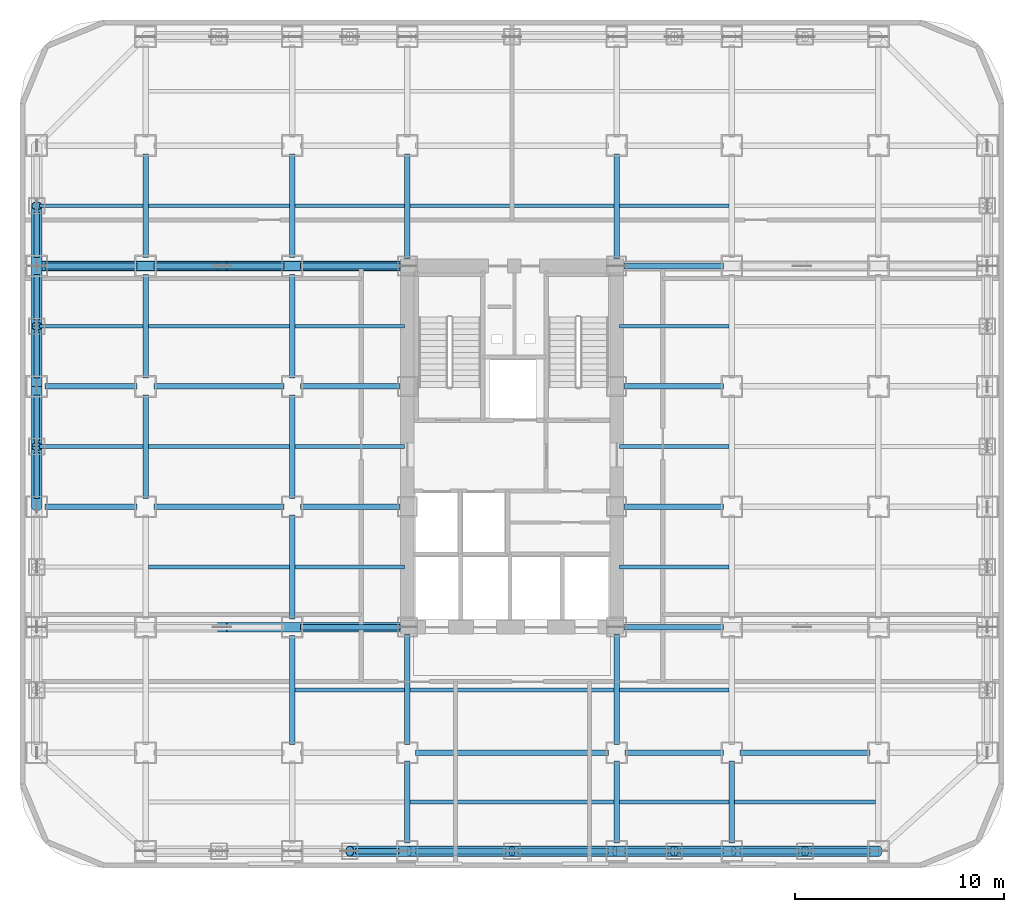
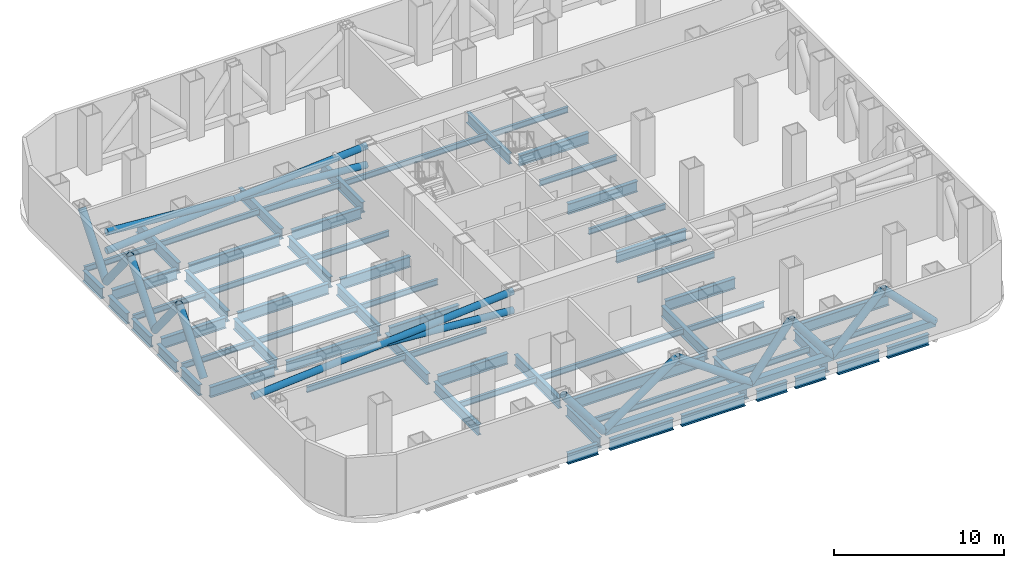
# One storey, part 2 of 10: 66 beams, 20 members.
"""IFC4 building model written with IfcOpenShell, lengths in metres."""

from ifc_helpers import new_model, si_unit, direction, frame, origin, origin_2d, place, context, subcontext, project, spatial, hollow_rectangle, hollow_circle, i_section, extrude, source, transform, mapped, material, material_profile, profile_set, type_object, element, save


model = new_model("IFC4")

# Units and contexts
model_context = context("Model", 3, precision=1e-05, world=origin(), true_north=direction((0.0, 1.0)))
body_context = subcontext(model_context, "Body", "Model", "MODEL_VIEW")
ifc_project = project(units=[si_unit("LENGTHUNIT", "METRE"), si_unit("AREAUNIT", "SQUARE_METRE"), si_unit("VOLUMEUNIT", "CUBIC_METRE"), si_unit("PLANEANGLEUNIT", "RADIAN"), si_unit("MASSUNIT", "GRAM", prefix="KILO")], contexts=[model_context])

# Site, building, storey
site_placement = place(None, origin())
site = spatial("IfcSite", under=ifc_project, at=site_placement, CompositionType="ELEMENT")
building_placement = place(site_placement, origin())
building = spatial("IfcBuilding", under=site, at=building_placement, Name="Kolveth Station Tower", CompositionType="ELEMENT")
storey_placement = place(building_placement, frame((0.0, 0.0, 76.5)))
storey = spatial("IfcBuildingStorey", under=building, at=storey_placement, Name="L20", CompositionType="ELEMENT", Elevation=76.5)

# Beams
ifc_material_1 = material(Name="Steel S355", Category="steel")
ifc_material_profile_1 = material_profile(ifc_material_1, i_section(OverallWidth=0.26904296875, OverallDepth=0.77490234375, WebThickness=0.01708984375, FlangeThickness=0.0283203125, at=origin_2d()), Name="W760x220")
ifc_profile_set_1 = profile_set([ifc_material_profile_1], Name="Steel S355")
beam_type_1 = type_object("IfcBeamType", Name="Beam_SP1", PredefinedType="SPANDREL", material=ifc_profile_set_1)
shared_shape_1 = source(origin(), body_context, "Body", "SweptSolid", [
    extrude(i_section(OverallWidth=0.26904296875, OverallDepth=0.77490234375, WebThickness=0.01708984375, FlangeThickness=0.0283203125, at=origin_2d()), origin(), (0.0, 0.0, 1.0), 2.820068359375),
])
for number, where, z_axis, x_axis, name in (
    (1, (34.39990234375, 0.800048828125, -0.74755859375), (1.0, 0.0, 0.0), (0.0, 1.0, 0.0), "L20 Perimeter Spandrel BM-L20-PS-9"),
    (2, (37.780029296875, 0.800048828125, -0.74755859375), (1.0, 0.0, 0.0), (0.0, 1.0, 0.0), "L20 Perimeter Spandrel BM-L20-PS-10"),
):
    element("IfcBeam", number, at=place(storey_placement, frame(where, z_axis=z_axis, x_axis=x_axis)), inside=storey, type_object=beam_type_1, Name=name, PredefinedType="SPANDREL", context=body_context, shape_type="MappedRepresentation", body=[
        mapped(shared_shape_1, transform((0.0, 0.0, 0.0), x_axis=(1.0, 0.0, 0.0), y_axis=(0.0, 1.0, 0.0), z_axis=(0.0, 0.0, 1.0), scale=1.0)),
    ])
shared_shape_2 = source(origin(), body_context, "Body", "SweptSolid", [
    extrude(i_section(OverallWidth=0.26904296875, OverallDepth=0.77490234375, WebThickness=0.01708984375, FlangeThickness=0.0283203125, at=origin_2d()), origin(), (0.0, 0.0, 1.0), 2.070068359375),
])
for number, where, z_axis, x_axis, name in (
    (3, (16.030029296875, 0.800048828125, -0.74755859375), (1.0, 0.0, 0.0), (0.0, 1.0, 0.0), "L20 Perimeter Spandrel BM-L20-PS-4"),
    (4, (28.89990234375, 0.800048828125, -0.74755859375), (1.0, 0.0, 0.0), (0.0, 1.0, 0.0), "L20 Perimeter Spandrel BM-L20-PS-7"),
    (5, (31.530029296875, 0.800048828125, -0.74755859375), (1.0, 0.0, 0.0), (0.0, 1.0, 0.0), "L20 Perimeter Spandrel BM-L20-PS-8"),
):
    element("IfcBeam", number, at=place(storey_placement, frame(where, z_axis=z_axis, x_axis=x_axis)), inside=storey, type_object=beam_type_1, Name=name, PredefinedType="SPANDREL", context=body_context, shape_type="MappedRepresentation", body=[
        mapped(shared_shape_2, transform((0.0, 0.0, 0.0), x_axis=(1.0, 0.0, 0.0), y_axis=(0.0, 1.0, 0.0), z_axis=(0.0, 0.0, 1.0), scale=1.0)),
    ])
shared_shape_3 = source(origin(), body_context, "Body", "SweptSolid", [
    extrude(i_section(OverallWidth=0.26904296875, OverallDepth=0.77490234375, WebThickness=0.01708984375, FlangeThickness=0.0283203125, at=origin_2d()), origin(), (0.0, 0.0, 1.0), 4.320068359375),
])
for number, where, z_axis, x_axis, name in (
    (6, (18.89990234375, 0.800048828125, -0.74755859375), (1.0, 0.0, 0.0), (0.0, 1.0, 0.0), "L20 Perimeter Spandrel BM-L20-PS-5"),
    (7, (23.780029296875, 0.800048828125, -0.74755859375), (1.0, 0.0, 0.0), (0.0, 1.0, 0.0), "L20 Perimeter Spandrel BM-L20-PS-6"),
):
    element("IfcBeam", number, at=place(storey_placement, frame(where, z_axis=z_axis, x_axis=x_axis)), inside=storey, type_object=beam_type_1, Name=name, PredefinedType="SPANDREL", context=body_context, shape_type="MappedRepresentation", body=[
        mapped(shared_shape_3, transform((0.0, 0.0, 0.0), x_axis=(1.0, 0.0, 0.0), y_axis=(0.0, 1.0, 0.0), z_axis=(0.0, 0.0, 1.0), scale=1.0)),
    ])
shared_shape_4 = source(origin(), body_context, "Body", "SweptSolid", [
    extrude(i_section(OverallWidth=0.26904296875, OverallDepth=0.77490234375, WebThickness=0.01708984375, FlangeThickness=0.0283203125, at=origin_2d()), origin(), (0.0, 0.0, 1.0), 2.2001953125),
])
for number, where, z_axis, x_axis, name in (
    (8, (0.800048828125, 20.39990234375, -0.74755859375), (0.0, 1.0, 0.0), (-1.0, 0.0, 0.0), "L20 Perimeter Spandrel BM-L20-PW-6"),
    (9, (0.800048828125, 23.39990234375, -0.74755859375), (0.0, 1.0, 0.0), (-1.0, 0.0, 0.0), "L20 Perimeter Spandrel BM-L20-PW-7"),
):
    element("IfcBeam", number, at=place(storey_placement, frame(where, z_axis=z_axis, x_axis=x_axis)), inside=storey, type_object=beam_type_1, Name=name, PredefinedType="SPANDREL", context=body_context, shape_type="MappedRepresentation", body=[
        mapped(shared_shape_4, transform((0.0, 0.0, 0.0), x_axis=(1.0, 0.0, 0.0), y_axis=(0.0, 1.0, 0.0), z_axis=(0.0, 0.0, 1.0), scale=1.0)),
    ])
shared_shape_5 = source(origin(), body_context, "Body", "SweptSolid", [
    extrude(i_section(OverallWidth=0.26904296875, OverallDepth=0.77490234375, WebThickness=0.01708984375, FlangeThickness=0.0283203125, at=origin_2d()), origin(), (0.0, 0.0, 1.0), 2.190185546875),
])
for number, where, z_axis, x_axis, name in (
    (10, (0.800048828125, 17.64990234375, -0.74755859375), (0.0, 1.0, 0.0), (-1.0, 0.0, 0.0), "L20 Perimeter Spandrel BM-L20-PW-5"),
    (11, (0.800048828125, 26.159912109375, -0.74755859375), (0.0, 1.0, 0.0), (-1.0, 0.0, 0.0), "L20 Perimeter Spandrel BM-L20-PW-8"),
    (12, (0.800048828125, 29.14990234375, -0.74755859375), (0.0, 1.0, 0.0), (-1.0, 0.0, 0.0), "L20 Perimeter Spandrel BM-L20-PW-9"),
):
    element("IfcBeam", number, at=place(storey_placement, frame(where, z_axis=z_axis, x_axis=x_axis)), inside=storey, type_object=beam_type_1, Name=name, PredefinedType="SPANDREL", context=body_context, shape_type="MappedRepresentation", body=[
        mapped(shared_shape_5, transform((0.0, 0.0, 0.0), x_axis=(1.0, 0.0, 0.0), y_axis=(0.0, 1.0, 0.0), z_axis=(0.0, 0.0, 1.0), scale=1.0)),
    ])
ifc_material_profile_2 = material_profile(ifc_material_1, i_section(OverallWidth=0.26708984375, OverallDepth=0.76611328125, WebThickness=0.014892578125, FlangeThickness=0.023681640625, at=origin_2d()), Name="W760x185")
ifc_profile_set_2 = profile_set([ifc_material_profile_2], Name="Steel S355")
beam_type_2 = type_object("IfcBeamType", Name="Beam_B3", PredefinedType="BEAM", material=ifc_profile_set_2)
shared_shape_6 = source(origin(), body_context, "Body", "SweptSolid", [
    extrude(i_section(OverallWidth=0.26708984375, OverallDepth=0.76611328125, WebThickness=0.014892578125, FlangeThickness=0.023681640625, at=origin_2d()), origin(), (0.0, 0.0, 1.0), 4.400146484375),
])
for number, where, z_axis, x_axis, name in (
    (13, (1.199951171875, 17.25, -0.742919921875), (1.0, 0.0, 0.0), (0.0, 1.0, 0.0), "L20 Primary Girder BM-L20-GY172-1"),
    (14, (1.199951171875, 23.0, -0.742919921875), (1.0, 0.0, 0.0), (0.0, 1.0, 0.0), "L20 Primary Girder BM-L20-GY230-1"),
    (15, (1.199951171875, 28.75, -0.742919921875), (1.0, 0.0, 0.0), (0.0, 1.0, 0.0), "L20 Primary Girder BM-L20-GY287-1"),
):
    element("IfcBeam", number, at=place(storey_placement, frame(where, z_axis=z_axis, x_axis=x_axis)), inside=storey, type_object=beam_type_2, Name=name, PredefinedType="BEAM", context=body_context, shape_type="MappedRepresentation", body=[
        mapped(shared_shape_6, transform((0.0, 0.0, 0.0), x_axis=(1.0, 0.0, 0.0), y_axis=(0.0, 1.0, 0.0), z_axis=(0.0, 0.0, 1.0), scale=1.0)),
    ])
shared_shape_7 = source(origin(), body_context, "Body", "SweptSolid", [
    extrude(i_section(OverallWidth=0.26708984375, OverallDepth=0.76611328125, WebThickness=0.014892578125, FlangeThickness=0.023681640625, at=origin_2d()), origin(), (0.0, 0.0, 1.0), 6.2001953125),
])
for number, where, z_axis, x_axis, name in (
    (16, (34.39990234375, 5.5, -0.742919921875), (1.0, 0.0, 0.0), (0.0, 1.0, 0.0), "L20 Primary Girder BM-L20-GY55-6"),
    (17, (6.39990234375, 17.25, -0.742919921875), (1.0, 0.0, 0.0), (0.0, 1.0, 0.0), "L20 Primary Girder BM-L20-GY172-2"),
    (18, (6.39990234375, 23.0, -0.742919921875), (1.0, 0.0, 0.0), (0.0, 1.0, 0.0), "L20 Primary Girder BM-L20-GY230-2"),
    (19, (6.39990234375, 28.75, -0.742919921875), (1.0, 0.0, 0.0), (0.0, 1.0, 0.0), "L20 Primary Girder BM-L20-GY287-2"),
):
    element("IfcBeam", number, at=place(storey_placement, frame(where, z_axis=z_axis, x_axis=x_axis)), inside=storey, type_object=beam_type_2, Name=name, PredefinedType="BEAM", context=body_context, shape_type="MappedRepresentation", body=[
        mapped(shared_shape_7, transform((0.0, 0.0, 0.0), x_axis=(1.0, 0.0, 0.0), y_axis=(0.0, 1.0, 0.0), z_axis=(0.0, 0.0, 1.0), scale=1.0)),
    ])
shared_shape_8 = source(origin(), body_context, "Body", "SweptSolid", [
    extrude(i_section(OverallWidth=0.26708984375, OverallDepth=0.76611328125, WebThickness=0.014892578125, FlangeThickness=0.023681640625, at=origin_2d()), origin(), (0.0, 0.0, 1.0), 4.7001953125),
])
beam_1_placement = place(storey_placement, frame((28.89990234375, 5.5, -0.742919921875), z_axis=(1.0, 0.0, 0.0), x_axis=(0.0, 1.0, 0.0)))
element("IfcBeam", 20, at=beam_1_placement, inside=storey, type_object=beam_type_2, Name="L20 Primary Girder BM-L20-GY55-5", PredefinedType="BEAM", context=body_context, shape_type="MappedRepresentation", body=[
    mapped(shared_shape_8, transform((0.0, 0.0, 0.0), x_axis=(1.0, 0.0, 0.0), y_axis=(0.0, 1.0, 0.0), z_axis=(0.0, 0.0, 1.0), scale=1.0)),
])
shared_shape_9 = source(origin(), body_context, "Body", "SweptSolid", [
    extrude(i_section(OverallWidth=0.26708984375, OverallDepth=0.76611328125, WebThickness=0.014892578125, FlangeThickness=0.023681640625, at=origin_2d()), origin(), (0.0, 0.0, 1.0), 9.2001953125),
])
beam_2_placement = place(storey_placement, frame((18.89990234375, 5.5, -0.742919921875), z_axis=(1.0, 0.0, 0.0), x_axis=(0.0, 1.0, 0.0)))
element("IfcBeam", 21, at=beam_2_placement, inside=storey, type_object=beam_type_2, Name="L20 Primary Girder BM-L20-GY55-4", PredefinedType="BEAM", context=body_context, shape_type="MappedRepresentation", body=[
    mapped(shared_shape_9, transform((0.0, 0.0, 0.0), x_axis=(1.0, 0.0, 0.0), y_axis=(0.0, 1.0, 0.0), z_axis=(0.0, 0.0, 1.0), scale=1.0)),
])
shared_shape_10 = source(origin(), body_context, "Body", "SweptSolid", [
    extrude(i_section(OverallWidth=0.26708984375, OverallDepth=0.76611328125, WebThickness=0.014892578125, FlangeThickness=0.023681640625, at=origin_2d()), origin(), (0.0, 0.0, 1.0), 4.739990234375),
])
for number, where, z_axis, x_axis, name in (
    (22, (13.39990234375, 11.5, -0.742919921875), (1.0, 0.0, 0.0), (0.0, 1.0, 0.0), "L20 Primary Girder BM-L20-GY115-3"),
    (23, (28.860107421875, 11.5, -0.742919921875), (1.0, 0.0, 0.0), (0.0, 1.0, 0.0), "L20 Primary Girder BM-L20-GY115-5"),
    (24, (13.39990234375, 17.25, -0.742919921875), (1.0, 0.0, 0.0), (0.0, 1.0, 0.0), "L20 Primary Girder BM-L20-GY172-3"),
    (25, (28.860107421875, 17.25, -0.742919921875), (1.0, 0.0, 0.0), (0.0, 1.0, 0.0), "L20 Primary Girder BM-L20-GY172-5"),
    (26, (13.39990234375, 23.0, -0.742919921875), (1.0, 0.0, 0.0), (0.0, 1.0, 0.0), "L20 Primary Girder BM-L20-GY230-3"),
    (27, (28.860107421875, 23.0, -0.742919921875), (1.0, 0.0, 0.0), (0.0, 1.0, 0.0), "L20 Primary Girder BM-L20-GY230-5"),
    (28, (13.39990234375, 28.75, -0.742919921875), (1.0, 0.0, 0.0), (0.0, 1.0, 0.0), "L20 Primary Girder BM-L20-GY287-3"),
    (29, (28.860107421875, 28.75, -0.742919921875), (1.0, 0.0, 0.0), (0.0, 1.0, 0.0), "L20 Primary Girder BM-L20-GY287-5"),
):
    element("IfcBeam", number, at=place(storey_placement, frame(where, z_axis=z_axis, x_axis=x_axis)), inside=storey, type_object=beam_type_2, Name=name, PredefinedType="BEAM", context=body_context, shape_type="MappedRepresentation", body=[
        mapped(shared_shape_10, transform((0.0, 0.0, 0.0), x_axis=(1.0, 0.0, 0.0), y_axis=(0.0, 1.0, 0.0), z_axis=(0.0, 0.0, 1.0), scale=1.0)),
    ])
shared_shape_11 = source(origin(), body_context, "Body", "SweptSolid", [
    extrude(i_section(OverallWidth=0.26708984375, OverallDepth=0.76611328125, WebThickness=0.014892578125, FlangeThickness=0.023681640625, at=origin_2d()), origin(), (0.0, 0.0, 1.0), 3.900146484375),
])
for number, where, z_axis, x_axis, name in (
    (30, (18.5, 1.199951171875, -0.742919921875), (0.0, 1.0, 0.0), (-1.0, 0.0, 0.0), "L20 Primary Girder BM-L20-GX185-1"),
    (31, (28.5, 1.199951171875, -0.742919921875), (0.0, 1.0, 0.0), (-1.0, 0.0, 0.0), "L20 Primary Girder BM-L20-GX285-1"),
    (32, (34.0, 1.199951171875, -0.742919921875), (0.0, 1.0, 0.0), (-1.0, 0.0, 0.0), "L20 Primary Girder BM-L20-GX340-1"),
):
    element("IfcBeam", number, at=place(storey_placement, frame(where, z_axis=z_axis, x_axis=x_axis)), inside=storey, type_object=beam_type_2, Name=name, PredefinedType="BEAM", context=body_context, shape_type="MappedRepresentation", body=[
        mapped(shared_shape_11, transform((0.0, 0.0, 0.0), x_axis=(1.0, 0.0, 0.0), y_axis=(0.0, 1.0, 0.0), z_axis=(0.0, 0.0, 1.0), scale=1.0)),
    ])
shared_shape_12 = source(origin(), body_context, "Body", "SweptSolid", [
    extrude(i_section(OverallWidth=0.26708984375, OverallDepth=0.76611328125, WebThickness=0.014892578125, FlangeThickness=0.023681640625, at=origin_2d()), origin(), (0.0, 0.0, 1.0), 5.2001953125),
])
beam_3_placement = place(storey_placement, frame((13.0, 5.89990234375, -0.742919921875), z_axis=(0.0, 1.0, 0.0), x_axis=(-1.0, 0.0, 0.0)))
element("IfcBeam", 33, at=beam_3_placement, inside=storey, type_object=beam_type_2, Name="L20 Primary Girder BM-L20-GX130-2", PredefinedType="BEAM", context=body_context, shape_type="MappedRepresentation", body=[
    mapped(shared_shape_12, transform((0.0, 0.0, 0.0), x_axis=(1.0, 0.0, 0.0), y_axis=(0.0, 1.0, 0.0), z_axis=(0.0, 0.0, 1.0), scale=1.0)),
])
shared_shape_13 = source(origin(), body_context, "Body", "SweptSolid", [
    extrude(i_section(OverallWidth=0.26708984375, OverallDepth=0.76611328125, WebThickness=0.014892578125, FlangeThickness=0.023681640625, at=origin_2d()), origin(), (0.0, 0.0, 1.0), 4.9501953125),
])
for number, where, z_axis, x_axis, name in (
    (34, (6.0, 17.64990234375, -0.742919921875), (0.0, 1.0, 0.0), (-1.0, 0.0, 0.0), "L20 Primary Girder BM-L20-GX60-4"),
    (35, (6.0, 23.39990234375, -0.742919921875), (0.0, 1.0, 0.0), (-1.0, 0.0, 0.0), "L20 Primary Girder BM-L20-GX60-5"),
    (36, (6.0, 29.14990234375, -0.742919921875), (0.0, 1.0, 0.0), (-1.0, 0.0, 0.0), "L20 Primary Girder BM-L20-GX60-6"),
    (37, (13.0, 11.89990234375, -0.742919921875), (0.0, 1.0, 0.0), (-1.0, 0.0, 0.0), "L20 Primary Girder BM-L20-GX130-3"),
    (38, (13.0, 17.64990234375, -0.742919921875), (0.0, 1.0, 0.0), (-1.0, 0.0, 0.0), "L20 Primary Girder BM-L20-GX130-4"),
    (39, (13.0, 23.39990234375, -0.742919921875), (0.0, 1.0, 0.0), (-1.0, 0.0, 0.0), "L20 Primary Girder BM-L20-GX130-5"),
    (40, (13.0, 29.14990234375, -0.742919921875), (0.0, 1.0, 0.0), (-1.0, 0.0, 0.0), "L20 Primary Girder BM-L20-GX130-6"),
):
    element("IfcBeam", number, at=place(storey_placement, frame(where, z_axis=z_axis, x_axis=x_axis)), inside=storey, type_object=beam_type_2, Name=name, PredefinedType="BEAM", context=body_context, shape_type="MappedRepresentation", body=[
        mapped(shared_shape_13, transform((0.0, 0.0, 0.0), x_axis=(1.0, 0.0, 0.0), y_axis=(0.0, 1.0, 0.0), z_axis=(0.0, 0.0, 1.0), scale=1.0)),
    ])
shared_shape_14 = source(origin(), body_context, "Body", "SweptSolid", [
    extrude(i_section(OverallWidth=0.26708984375, OverallDepth=0.76611328125, WebThickness=0.014892578125, FlangeThickness=0.023681640625, at=origin_2d()), origin(), (0.0, 0.0, 1.0), 5.239990234375),
])
for number, where, z_axis, x_axis, name in (
    (41, (18.5, 5.89990234375, -0.742919921875), (0.0, 1.0, 0.0), (-1.0, 0.0, 0.0), "L20 Primary Girder BM-L20-GX185-2"),
    (42, (28.5, 5.89990234375, -0.742919921875), (0.0, 1.0, 0.0), (-1.0, 0.0, 0.0), "L20 Primary Girder BM-L20-GX285-2"),
):
    element("IfcBeam", number, at=place(storey_placement, frame(where, z_axis=z_axis, x_axis=x_axis)), inside=storey, type_object=beam_type_2, Name=name, PredefinedType="BEAM", context=body_context, shape_type="MappedRepresentation", body=[
        mapped(shared_shape_14, transform((0.0, 0.0, 0.0), x_axis=(1.0, 0.0, 0.0), y_axis=(0.0, 1.0, 0.0), z_axis=(0.0, 0.0, 1.0), scale=1.0)),
    ])
shared_shape_15 = source(origin(), body_context, "Body", "SweptSolid", [
    extrude(i_section(OverallWidth=0.26708984375, OverallDepth=0.76611328125, WebThickness=0.014892578125, FlangeThickness=0.023681640625, at=origin_2d()), origin(), (0.0, 0.0, 1.0), 4.989990234375),
])
for number, where, z_axis, x_axis, name in (
    (43, (18.5, 29.110107421875, -0.742919921875), (0.0, 1.0, 0.0), (-1.0, 0.0, 0.0), "L20 Primary Girder BM-L20-GX185-6"),
    (44, (28.5, 29.110107421875, -0.742919921875), (0.0, 1.0, 0.0), (-1.0, 0.0, 0.0), "L20 Primary Girder BM-L20-GX285-6"),
):
    element("IfcBeam", number, at=place(storey_placement, frame(where, z_axis=z_axis, x_axis=x_axis)), inside=storey, type_object=beam_type_2, Name=name, PredefinedType="BEAM", context=body_context, shape_type="MappedRepresentation", body=[
        mapped(shared_shape_15, transform((0.0, 0.0, 0.0), x_axis=(1.0, 0.0, 0.0), y_axis=(0.0, 1.0, 0.0), z_axis=(0.0, 0.0, 1.0), scale=1.0)),
    ])
ifc_material_profile_3 = material_profile(ifc_material_1, i_section(OverallWidth=0.177978515625, OverallDepth=0.406982421875, WebThickness=0.0078125, FlangeThickness=0.0126953125, at=origin_2d()), Name="W410x60")
ifc_profile_set_3 = profile_set([ifc_material_profile_3], Name="Steel S355")
beam_type_3 = type_object("IfcBeamType", Name="Beam_J1", PredefinedType="JOIST", material=ifc_profile_set_3)
shared_shape_16 = source(origin(), body_context, "Body", "SweptSolid", [
    extrude(i_section(OverallWidth=0.177978515625, OverallDepth=0.406982421875, WebThickness=0.0078125, FlangeThickness=0.0126953125, at=origin_2d()), origin(), (0.0, 0.0, 1.0), 4.935791015625),
])
for number, where, z_axis, x_axis, name in (
    (45, (0.9326171875, 20.125, -0.5634765625), (1.0, 0.0, 0.0), (0.0, 1.0, 0.0), "L20 Secondary Joist JST-L20-1-4"),
    (46, (0.9326171875, 25.875, -0.5634765625), (1.0, 0.0, 0.0), (0.0, 1.0, 0.0), "L20 Secondary Joist JST-L20-1-5"),
    (47, (0.9326171875, 31.625, -0.5634765625), (1.0, 0.0, 0.0), (0.0, 1.0, 0.0), "L20 Secondary Joist JST-L20-1-6"),
):
    element("IfcBeam", number, at=place(storey_placement, frame(where, z_axis=z_axis, x_axis=x_axis)), inside=storey, type_object=beam_type_3, Name=name, PredefinedType="JOIST", context=body_context, shape_type="MappedRepresentation", body=[
        mapped(shared_shape_16, transform((0.0, 0.0, 0.0), x_axis=(1.0, 0.0, 0.0), y_axis=(0.0, 1.0, 0.0), z_axis=(0.0, 0.0, 1.0), scale=1.0)),
    ])
shared_shape_17 = source(origin(), body_context, "Body", "SweptSolid", [
    extrude(i_section(OverallWidth=0.177978515625, OverallDepth=0.406982421875, WebThickness=0.0078125, FlangeThickness=0.0126953125, at=origin_2d()), origin(), (0.0, 0.0, 1.0), 6.73681640625),
])
for number, where, z_axis, x_axis, name in (
    (48, (6.131591796875, 14.375, -0.5634765625), (1.0, 0.0, 0.0), (0.0, 1.0, 0.0), "L20 Secondary Joist JST-L20-2-3"),
    (49, (6.131591796875, 20.125, -0.5634765625), (1.0, 0.0, 0.0), (0.0, 1.0, 0.0), "L20 Secondary Joist JST-L20-2-4"),
    (50, (6.131591796875, 25.875, -0.5634765625), (1.0, 0.0, 0.0), (0.0, 1.0, 0.0), "L20 Secondary Joist JST-L20-2-5"),
    (51, (6.131591796875, 31.625, -0.5634765625), (1.0, 0.0, 0.0), (0.0, 1.0, 0.0), "L20 Secondary Joist JST-L20-2-6"),
    (52, (34.131591796875, 3.14990234375, -0.5634765625), (1.0, 0.0, 0.0), (0.0, 1.0, 0.0), "L20 Secondary Joist JST-L20-6-1"),
):
    element("IfcBeam", number, at=place(storey_placement, frame(where, z_axis=z_axis, x_axis=x_axis)), inside=storey, type_object=beam_type_3, Name=name, PredefinedType="JOIST", context=body_context, shape_type="MappedRepresentation", body=[
        mapped(shared_shape_17, transform((0.0, 0.0, 0.0), x_axis=(1.0, 0.0, 0.0), y_axis=(0.0, 1.0, 0.0), z_axis=(0.0, 0.0, 1.0), scale=1.0)),
    ])
shared_shape_18 = source(origin(), body_context, "Body", "SweptSolid", [
    extrude(i_section(OverallWidth=0.177978515625, OverallDepth=0.406982421875, WebThickness=0.0078125, FlangeThickness=0.0126953125, at=origin_2d()), origin(), (0.0, 0.0, 1.0), 5.23681640625),
])
for number, where, z_axis, x_axis, name in (
    (53, (13.131591796875, 8.5, -0.5634765625), (1.0, 0.0, 0.0), (0.0, 1.0, 0.0), "L20 Secondary Joist JST-L20-3-2"),
    (54, (13.131591796875, 14.375, -0.5634765625), (1.0, 0.0, 0.0), (0.0, 1.0, 0.0), "L20 Secondary Joist JST-L20-3-3"),
    (55, (13.131591796875, 20.125, -0.5634765625), (1.0, 0.0, 0.0), (0.0, 1.0, 0.0), "L20 Secondary Joist JST-L20-3-4"),
    (56, (13.131591796875, 25.875, -0.5634765625), (1.0, 0.0, 0.0), (0.0, 1.0, 0.0), "L20 Secondary Joist JST-L20-3-5"),
    (57, (13.131591796875, 31.625, -0.5634765625), (1.0, 0.0, 0.0), (0.0, 1.0, 0.0), "L20 Secondary Joist JST-L20-3-6"),
    (58, (28.631591796875, 3.14990234375, -0.5634765625), (1.0, 0.0, 0.0), (0.0, 1.0, 0.0), "L20 Secondary Joist JST-L20-5-1"),
    (59, (28.631591796875, 8.5, -0.5634765625), (1.0, 0.0, 0.0), (0.0, 1.0, 0.0), "L20 Secondary Joist JST-L20-5-2"),
    (60, (28.631591796875, 14.375, -0.5634765625), (1.0, 0.0, 0.0), (0.0, 1.0, 0.0), "L20 Secondary Joist JST-L20-5-3"),
    (61, (28.631591796875, 20.125, -0.5634765625), (1.0, 0.0, 0.0), (0.0, 1.0, 0.0), "L20 Secondary Joist JST-L20-5-4"),
    (62, (28.631591796875, 25.875, -0.5634765625), (1.0, 0.0, 0.0), (0.0, 1.0, 0.0), "L20 Secondary Joist JST-L20-5-5"),
    (63, (28.631591796875, 31.625, -0.5634765625), (1.0, 0.0, 0.0), (0.0, 1.0, 0.0), "L20 Secondary Joist JST-L20-5-6"),
):
    element("IfcBeam", number, at=place(storey_placement, frame(where, z_axis=z_axis, x_axis=x_axis)), inside=storey, type_object=beam_type_3, Name=name, PredefinedType="JOIST", context=body_context, shape_type="MappedRepresentation", body=[
        mapped(shared_shape_18, transform((0.0, 0.0, 0.0), x_axis=(1.0, 0.0, 0.0), y_axis=(0.0, 1.0, 0.0), z_axis=(0.0, 0.0, 1.0), scale=1.0)),
    ])
shared_shape_19 = source(origin(), body_context, "Body", "SweptSolid", [
    extrude(i_section(OverallWidth=0.177978515625, OverallDepth=0.406982421875, WebThickness=0.0078125, FlangeThickness=0.0126953125, at=origin_2d()), origin(), (0.0, 0.0, 1.0), 9.73681640625),
])
for number, where, z_axis, x_axis, name in (
    (64, (18.631591796875, 3.14990234375, -0.5634765625), (1.0, 0.0, 0.0), (0.0, 1.0, 0.0), "L20 Secondary Joist JST-L20-4-1"),
    (65, (18.631591796875, 8.5, -0.5634765625), (1.0, 0.0, 0.0), (0.0, 1.0, 0.0), "L20 Secondary Joist JST-L20-4-2"),
    (66, (18.631591796875, 31.625, -0.5634765625), (1.0, 0.0, 0.0), (0.0, 1.0, 0.0), "L20 Secondary Joist JST-L20-4-6"),
):
    element("IfcBeam", number, at=place(storey_placement, frame(where, z_axis=z_axis, x_axis=x_axis)), inside=storey, type_object=beam_type_3, Name=name, PredefinedType="JOIST", context=body_context, shape_type="MappedRepresentation", body=[
        mapped(shared_shape_19, transform((0.0, 0.0, 0.0), x_axis=(1.0, 0.0, 0.0), y_axis=(0.0, 1.0, 0.0), z_axis=(0.0, 0.0, 1.0), scale=1.0)),
    ])

# Members
ifc_material_2 = material(Name="Steel S460", Category="steel")
ifc_material_profile_4 = material_profile(ifc_material_2, hollow_circle(Radius=0.25390625, WallThickness=0.02490234375, at=origin_2d()), Name="CHS508x25")
ifc_profile_set_4 = profile_set([ifc_material_profile_4], Name="Steel S460")
member_type_1 = type_object("IfcMemberType", Name="Mem_BR1", PredefinedType="BRACE", material=ifc_profile_set_4)
shared_shape_20 = source(origin(), body_context, "Body", "SweptSolid", [
    extrude(hollow_circle(Radius=0.25390625, WallThickness=0.02490234375, at=origin_2d()), origin(), (0.0, 0.0, 1.0), 4.999267578125),
])
for number, where, z_axis, x_axis, name in (
    (67, (34.0, 0.800048828125, 0.35009765625), (0.700088987627, 0.0, 0.71405560666), (0.0, 1.0, 0.0), "L20 Belt Truss Brace S5A"),
    (68, (41.0, 0.800048828125, 0.35009765625), (-0.700088987627, 0.0, 0.71405560666), (0.0, -1.0, 0.0), "L20 Belt Truss Brace S5B"),
):
    element("IfcMember", number, at=place(storey_placement, frame(where, z_axis=z_axis, x_axis=x_axis)), inside=storey, type_object=member_type_1, Name=name, PredefinedType="BRACE", context=body_context, shape_type="MappedRepresentation", body=[
        mapped(shared_shape_20, transform((0.0, 0.0, 0.0), x_axis=(1.0, 0.0, 0.0), y_axis=(0.0, 1.0, 0.0), z_axis=(0.0, 0.0, 1.0), scale=1.0)),
    ])
ifc_material_profile_5 = material_profile(ifc_material_2, hollow_rectangle(XDim=0.449951171875, YDim=0.449951171875, WallThickness=0.02490234375, at=origin_2d()), Name="HSS450x450x25")
ifc_profile_set_5 = profile_set([ifc_material_profile_5], Name="Steel S460")
member_type_2 = type_object("IfcMemberType", Name="Mem_CH1", PredefinedType="CHORD", material=ifc_profile_set_5)
shared_shape_21 = source(origin(), body_context, "Body", "SweptSolid", [
    extrude(hollow_rectangle(XDim=0.449951171875, YDim=0.449951171875, WallThickness=0.02490234375, at=origin_2d()), origin(), (0.0, 0.0, 1.0), 7.0),
])
member_1_placement = place(storey_placement, frame((34.0, 0.800048828125, 0.35009765625), z_axis=(1.0, 0.0, 0.0), x_axis=(0.0, 1.0, 0.0)))
element("IfcMember", 69, at=member_1_placement, inside=storey, type_object=member_type_2, Name="L20 Belt Truss Bottom Chord S5", PredefinedType="CHORD", context=body_context, shape_type="MappedRepresentation", body=[
    mapped(shared_shape_21, transform((0.0, 0.0, 0.0), x_axis=(1.0, 0.0, 0.0), y_axis=(0.0, 1.0, 0.0), z_axis=(0.0, 0.0, 1.0), scale=1.0)),
])
shared_shape_22 = source(origin(), body_context, "Body", "SweptSolid", [
    extrude(hollow_circle(Radius=0.25390625, WallThickness=0.02490234375, at=origin_2d()), origin(), (0.0, 0.0, 1.0), 4.50634765625),
])
for number, where, z_axis, x_axis, name in (
    (70, (18.5, 0.800048828125, 0.35009765625), (-0.610265688356, 0.0, 0.792196812424), (0.0, -1.0, 0.0), "L20 Belt Truss Brace S2B"),
    (71, (28.5, 0.800048828125, 0.35009765625), (0.610265688356, 0.0, 0.792196812424), (0.0, 1.0, 0.0), "L20 Belt Truss Brace S4A"),
    (72, (34.0, 0.800048828125, 0.35009765625), (-0.610265688356, 0.0, 0.792196812424), (0.0, -1.0, 0.0), "L20 Belt Truss Brace S4B"),
):
    element("IfcMember", number, at=place(storey_placement, frame(where, z_axis=z_axis, x_axis=x_axis)), inside=storey, type_object=member_type_1, Name=name, PredefinedType="BRACE", context=body_context, shape_type="MappedRepresentation", body=[
        mapped(shared_shape_22, transform((0.0, 0.0, 0.0), x_axis=(1.0, 0.0, 0.0), y_axis=(0.0, 1.0, 0.0), z_axis=(0.0, 0.0, 1.0), scale=1.0)),
    ])
shared_shape_23 = source(origin(), body_context, "Body", "SweptSolid", [
    extrude(hollow_rectangle(XDim=0.449951171875, YDim=0.449951171875, WallThickness=0.02490234375, at=origin_2d()), origin(), (0.0, 0.0, 1.0), 5.5),
])
member_2_placement = place(storey_placement, frame((28.5, 0.800048828125, 0.35009765625), z_axis=(1.0, 0.0, 0.0), x_axis=(0.0, 1.0, 0.0)))
element("IfcMember", 73, at=member_2_placement, inside=storey, type_object=member_type_2, Name="L20 Belt Truss Bottom Chord S4", PredefinedType="CHORD", context=body_context, shape_type="MappedRepresentation", body=[
    mapped(shared_shape_23, transform((0.0, 0.0, 0.0), x_axis=(1.0, 0.0, 0.0), y_axis=(0.0, 1.0, 0.0), z_axis=(0.0, 0.0, 1.0), scale=1.0)),
])
shared_shape_24 = source(origin(), body_context, "Body", "SweptSolid", [
    extrude(hollow_circle(Radius=0.25390625, WallThickness=0.02490234375, at=origin_2d()), origin(), (0.0, 0.0, 1.0), 6.1435546875),
])
for number, where, z_axis, x_axis, name in (
    (74, (18.5, 0.800048828125, 0.35009765625), (0.813856966283, 0.0, 0.581065261767), (0.0, 1.0, 0.0), "L20 Belt Truss Brace S3A"),
    (75, (28.5, 0.800048828125, 0.35009765625), (-0.813856966283, 0.0, 0.581065261767), (0.0, -1.0, 0.0), "L20 Belt Truss Brace S3B"),
):
    element("IfcMember", number, at=place(storey_placement, frame(where, z_axis=z_axis, x_axis=x_axis)), inside=storey, type_object=member_type_1, Name=name, PredefinedType="BRACE", context=body_context, shape_type="MappedRepresentation", body=[
        mapped(shared_shape_24, transform((0.0, 0.0, 0.0), x_axis=(1.0, 0.0, 0.0), y_axis=(0.0, 1.0, 0.0), z_axis=(0.0, 0.0, 1.0), scale=1.0)),
    ])
shared_shape_25 = source(origin(), body_context, "Body", "SweptSolid", [
    extrude(hollow_rectangle(XDim=0.449951171875, YDim=0.449951171875, WallThickness=0.02490234375, at=origin_2d()), origin(), (0.0, 0.0, 1.0), 10.0),
])
member_3_placement = place(storey_placement, frame((18.5, 0.800048828125, 0.35009765625), z_axis=(1.0, 0.0, 0.0), x_axis=(0.0, 1.0, 0.0)))
element("IfcMember", 76, at=member_3_placement, inside=storey, type_object=member_type_2, Name="L20 Belt Truss Bottom Chord S3", PredefinedType="CHORD", context=body_context, shape_type="MappedRepresentation", body=[
    mapped(shared_shape_25, transform((0.0, 0.0, 0.0), x_axis=(1.0, 0.0, 0.0), y_axis=(0.0, 1.0, 0.0), z_axis=(0.0, 0.0, 1.0), scale=1.0)),
])
shared_shape_26 = source(origin(), body_context, "Body", "SweptSolid", [
    extrude(hollow_circle(Radius=0.25390625, WallThickness=0.02490234375, at=origin_2d()), origin(), (0.0, 0.0, 1.0), 4.58349609375),
])
for number, where, z_axis, x_axis, name in (
    (77, (0.800048828125, 17.25, 0.35009765625), (0.0, 0.627238010019, 0.778827630986), (-1.0, 0.0, 0.0), "L20 Belt Truss Brace W3A"),
    (78, (0.800048828125, 23.0, 0.35009765625), (0.0, -0.627238010019, 0.778827630986), (1.0, 0.0, 0.0), "L20 Belt Truss Brace W3B"),
    (79, (0.800048828125, 23.0, 0.35009765625), (0.0, 0.627238010019, 0.778827630986), (-1.0, 0.0, 0.0), "L20 Belt Truss Brace W4A"),
    (80, (0.800048828125, 28.75, 0.35009765625), (0.0, -0.627238010019, 0.778827630986), (1.0, 0.0, 0.0), "L20 Belt Truss Brace W4B"),
    (81, (0.800048828125, 28.75, 0.35009765625), (0.0, 0.627238010019, 0.778827630986), (-1.0, 0.0, 0.0), "L20 Belt Truss Brace W5A"),
):
    element("IfcMember", number, at=place(storey_placement, frame(where, z_axis=z_axis, x_axis=x_axis)), inside=storey, type_object=member_type_1, Name=name, PredefinedType="BRACE", context=body_context, shape_type="MappedRepresentation", body=[
        mapped(shared_shape_26, transform((0.0, 0.0, 0.0), x_axis=(1.0, 0.0, 0.0), y_axis=(0.0, 1.0, 0.0), z_axis=(0.0, 0.0, 1.0), scale=1.0)),
    ])
ifc_material_profile_6 = material_profile(ifc_material_2, hollow_circle(Radius=0.228515625, WallThickness=0.02197265625, at=origin_2d()), Name="CHS457x22")
ifc_profile_set_6 = profile_set([ifc_material_profile_6], Name="Steel S460")
member_type_3 = type_object("IfcMemberType", Name="Mem_BR2", PredefinedType="BRACE", material=ifc_profile_set_6)
shared_shape_27 = source(origin(), body_context, "Body", "SweptSolid", [
    extrude(hollow_circle(Radius=0.228515625, WallThickness=0.02197265625, at=origin_2d()), origin(), (0.0, 0.0, 1.0), 17.7529296875),
])
for number, where, z_axis, x_axis, name in (
    (82, (0.800048828125, 11.5, 2.550048828125), (0.997018458741, 0.0, 0.07716341704), (0.0, 1.0, 0.0), "L20 Outrigger Continuous Diagonal 1A"),
    (83, (0.800048828125, 28.75, 2.550048828125), (0.997018458741, 0.0, 0.07716341704), (0.0, 1.0, 0.0), "L20 Outrigger Continuous Diagonal 3A"),
):
    element("IfcMember", number, at=place(storey_placement, frame(where, z_axis=z_axis, x_axis=x_axis)), inside=storey, type_object=member_type_3, Name=name, PredefinedType="BRACE", context=body_context, shape_type="MappedRepresentation", body=[
        mapped(shared_shape_27, transform((0.0, 0.0, 0.0), x_axis=(1.0, 0.0, 0.0), y_axis=(0.0, 1.0, 0.0), z_axis=(0.0, 0.0, 1.0), scale=1.0)),
    ])
shared_shape_28 = source(origin(), body_context, "Body", "SweptSolid", [
    extrude(hollow_circle(Radius=0.228515625, WallThickness=0.02197265625, at=origin_2d()), origin(), (0.0, 0.0, 1.0), 8.656494140625),
])
for number, where, z_axis, x_axis, name in (
    (84, (18.5, 11.5, 2.550048828125), (-0.997018374851, 0.0, 0.077164500964), (0.0, -1.0, 0.0), "L20 Outrigger Split Lower Diagonal 1B1"),
    (85, (18.5, 28.75, 2.550048828125), (-0.997018374851, 0.0, 0.077164500964), (0.0, -1.0, 0.0), "L20 Outrigger Split Lower Diagonal 3B1"),
    (86, (9.4306640625, 28.75, 3.251953125), (-0.997018374851, 0.0, 0.077164500964), (0.0, -1.0, 0.0), "L20 Outrigger Split Upper Diagonal 3B2"),
):
    element("IfcMember", number, at=place(storey_placement, frame(where, z_axis=z_axis, x_axis=x_axis)), inside=storey, type_object=member_type_3, Name=name, PredefinedType="BRACE", context=body_context, shape_type="MappedRepresentation", body=[
        mapped(shared_shape_28, transform((0.0, 0.0, 0.0), x_axis=(1.0, 0.0, 0.0), y_axis=(0.0, 1.0, 0.0), z_axis=(0.0, 0.0, 1.0), scale=1.0)),
    ])

save(model, "model.ifc")
